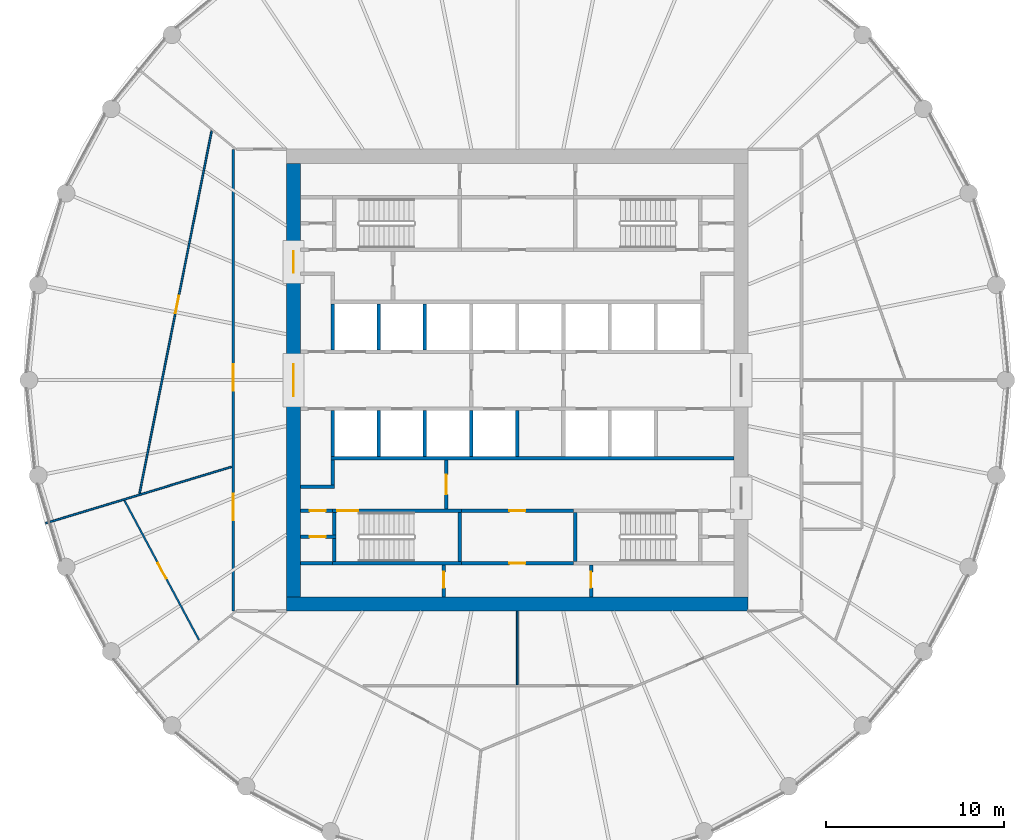
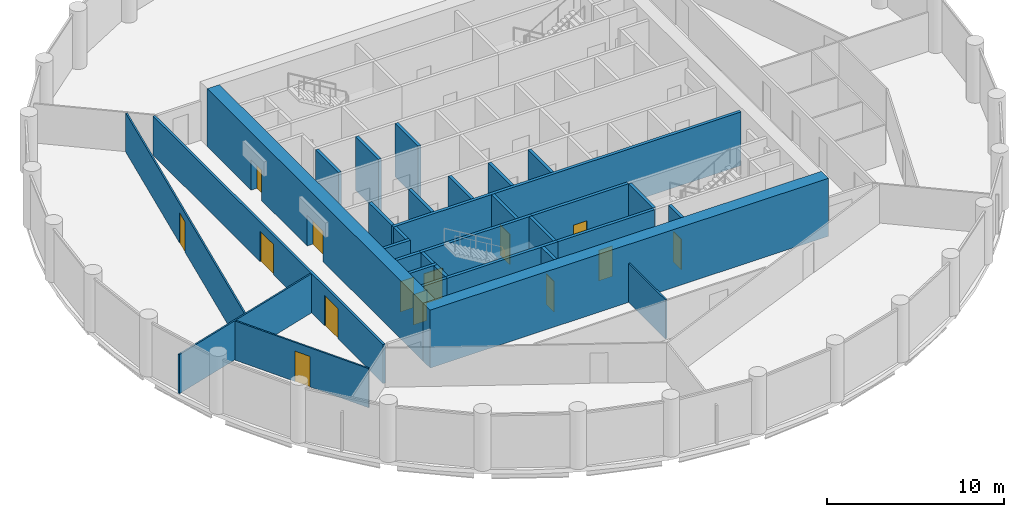
# One storey, part 4 of 8: 32 walls, 14 doors, 14 openings.
"""IFC4 building model written with IfcOpenShell, lengths in metres."""

from ifc_helpers import new_model, si_unit, direction, frame, frame_2d, origin, place, context, subcontext, project, spatial, polyline, rectangle, outline, extrude, material, layer, layer_set, type_object, element, fill, save


model = new_model("IFC4")

# Units and contexts
model_context = context("Model", 3, precision=1e-05, world=origin(), true_north=direction((0.0, 1.0)))
body_context = subcontext(model_context, "Body", "Model", "MODEL_VIEW")
ifc_project = project(units=[si_unit("LENGTHUNIT", "METRE"), si_unit("AREAUNIT", "SQUARE_METRE"), si_unit("VOLUMEUNIT", "CUBIC_METRE"), si_unit("PLANEANGLEUNIT", "RADIAN"), si_unit("MASSUNIT", "GRAM", prefix="KILO")], contexts=[model_context])

# Site, building, storey
site_placement = place(None, origin())
site = spatial("IfcSite", under=ifc_project, at=site_placement, CompositionType="ELEMENT")
building_placement = place(site_placement, origin())
building = spatial("IfcBuilding", under=site, at=building_placement, Name="Corvane Civic Tower", CompositionType="ELEMENT")
storey_placement = place(building_placement, frame((0.0, 0.0, 205.5)))
storey = spatial("IfcBuildingStorey", under=building, at=storey_placement, Name="L48", CompositionType="ELEMENT", Elevation=205.5)

# Wall
ifc_material_1 = material(Name="Concrete C50/60", Category="concrete")
ifc_layer_1 = layer(ifc_material_1, 0.800048828125)
ifc_layer_set_1 = layer_set([ifc_layer_1], Name="Concrete C50/60")
wall_type_1 = type_object("IfcWallType", Name="CORE WALL 800 C50/60", PredefinedType="SHEAR", material=ifc_layer_set_1)
wall_1_placement = place(storey_placement, frame((-13.0, -12.60009765625, 0.0), z_axis=(0.0, 0.0, 1.0), x_axis=(1.0, 0.0, 0.0)))
element("IfcWall", 1, at=wall_1_placement, inside=storey, type_object=wall_type_1, Name="W-L48-core-S", PredefinedType="SHEAR", context=body_context, shape_type="SweptSolid", body=[
    extrude(rectangle(XDim=26.0, YDim=0.800048828125, at=frame_2d((13.0, 0.0))), origin(), (0.0, 0.0, 1.0), 4.0),
])

# Wall, openings, doors
wall_2_placement = place(storey_placement, frame((-12.60009765625, -12.199951171875, 0.0), z_axis=(0.0, 0.0, 1.0), x_axis=(0.0, 1.0, 0.0)))
wall_2 = element("IfcWall", 2, at=wall_2_placement, inside=storey, type_object=wall_type_1, Name="W-L48-core-W", PredefinedType="SHEAR", context=body_context, shape_type="SweptSolid", body=[
    extrude(rectangle(XDim=24.39990234375, YDim=0.800048828125, at=frame_2d((12.199951171875, 0.0))), origin(), (0.0, 0.0, 1.0), 4.0),
])
opening_1_placement = place(wall_2_placement, frame((11.300048828125, 0.0, 0.0)))
opening_1 = element("IfcOpeningElement", 3, at=opening_1_placement, cuts=wall_2, Name="Opening L48.C30", PredefinedType="OPENING", context=body_context, shape_type="SweptSolid", body=[
    extrude(rectangle(XDim=1.800048828125, YDim=2.10009765625, at=frame_2d((0.89990234375, 1.050048828125))), frame((0.0, 0.409912109375, 0.0), z_axis=(0.0, -1.0, 0.0), x_axis=(1.0, 0.0, 0.0)), (0.0, 0.0, 1.0), 0.820068359375),
])
opening_2_placement = place(wall_2_placement, frame((18.25, 0.0, 0.0)))
opening_2 = element("IfcOpeningElement", 4, at=opening_2_placement, cuts=wall_2, Name="Opening L48.C32", PredefinedType="OPENING", context=body_context, shape_type="SweptSolid", body=[
    extrude(rectangle(XDim=1.199951171875, YDim=2.10009765625, at=frame_2d((0.60009765625, 1.050048828125))), frame((0.0, 0.409912109375, 0.0), z_axis=(0.0, -1.0, 0.0), x_axis=(1.0, 0.0, 0.0)), (0.0, 0.0, 1.0), 0.820068359375),
])
ifc_material_2 = material(Name="Steel fire door leaf", Category="steel")
door_type_1 = type_object("IfcDoorType", Name="CR-DOOR-CORE-1800", OperationType="DOUBLE_DOOR_SINGLE_SWING", PredefinedType="DOOR", material=ifc_material_2)
door_1_placement = place(opening_1_placement, origin())
door_1 = element("IfcDoor", 5, at=door_1_placement, inside=storey, type_object=door_type_1, Name="L48 door", OperationType="DOUBLE_DOOR_SINGLE_SWING", OverallHeight=2.10009765625, OverallWidth=1.800048828125, PredefinedType="DOOR", context=body_context, shape_type="SweptSolid", body=[
    extrude(rectangle(XDim=1.800048828125, YDim=2.10009765625, at=frame_2d((0.89990234375, 1.050048828125))), frame((0.0, 0.02490234375, 0.0), z_axis=(0.0, -1.0, 0.0), x_axis=(1.0, 0.0, 0.0)), (0.0, 0.0, 1.0), 0.050048828125),
])
fill(opening_1, door_1)
door_2_placement = place(opening_2_placement, origin())
door_2 = element("IfcDoor", 6, at=door_2_placement, inside=storey, type_object=door_type_1, Name="L48 door", OperationType="DOUBLE_DOOR_SINGLE_SWING", OverallHeight=2.10009765625, OverallWidth=1.199951171875, PredefinedType="DOOR", context=body_context, shape_type="SweptSolid", body=[
    extrude(rectangle(XDim=1.199951171875, YDim=2.10009765625, at=frame_2d((0.60009765625, 1.050048828125))), frame((0.0, 0.02490234375, 0.0), z_axis=(0.0, -1.0, 0.0), x_axis=(1.0, 0.0, 0.0)), (0.0, 0.0, 1.0), 0.050048828125),
])
fill(opening_2, door_2)

# Wall, opening, door
ifc_material_3 = material(Name="Concrete C30/37", Category="concrete")
ifc_layer_2 = layer(ifc_material_3, 0.199951171875)
ifc_layer_set_2 = layer_set([ifc_layer_2], Name="Concrete C30/37")
wall_type_2 = type_object("IfcWallType", Name="CR-WALL-200", PredefinedType="PARTITIONING", material=ifc_layer_set_2)
wall_3_placement = place(storey_placement, frame((-3.14990234375, -10.300048828125, 0.0), z_axis=(0.0, 0.0, 1.0), x_axis=(1.0, 0.0, 0.0)))
wall_3 = element("IfcWall", 7, at=wall_3_placement, inside=storey, type_object=wall_type_2, Name="L48 partition wall", PredefinedType="PARTITIONING", context=body_context, shape_type="SweptSolid", body=[
    extrude(rectangle(XDim=6.2998046875, YDim=0.199951171875, at=frame_2d((3.14990234375, 0.0))), origin(), (0.0, 0.0, 1.0), 3.699951171875),
])
opening_3_placement = place(wall_3_placement, frame((2.699951171875, 0.0, 0.0)))
opening_3 = element("IfcOpeningElement", 8, at=opening_3_placement, cuts=wall_3, Name="Opening L48.C12", PredefinedType="OPENING", context=body_context, shape_type="SweptSolid", body=[
    extrude(rectangle(XDim=0.89990234375, YDim=2.10009765625, at=frame_2d((0.449951171875, 1.050048828125))), frame((0.0, 0.10986328125, 0.0), z_axis=(0.0, -1.0, 0.0), x_axis=(1.0, 0.0, 0.0)), (0.0, 0.0, 1.0), 0.219970703125),
])
ifc_material_4 = material(Name="Steel fire door leaf", Category="steel")
door_type_2 = type_object("IfcDoorType", Name="CR-DOOR-900", OperationType="SINGLE_SWING_LEFT", PredefinedType="DOOR", material=ifc_material_4)
door_3_placement = place(opening_3_placement, origin())
door_3 = element("IfcDoor", 9, at=door_3_placement, inside=storey, type_object=door_type_2, Name="L48 door", OperationType="SINGLE_SWING_LEFT", OverallHeight=2.10009765625, OverallWidth=0.89990234375, PredefinedType="DOOR", context=body_context, shape_type="SweptSolid", body=[
    extrude(rectangle(XDim=0.89990234375, YDim=2.10009765625, at=frame_2d((0.449951171875, 1.050048828125))), frame((0.0, 0.02490234375, 0.0), z_axis=(0.0, -1.0, 0.0), x_axis=(1.0, 0.0, 0.0)), (0.0, 0.0, 1.0), 0.050048828125),
])
fill(opening_3, door_3)

wall_4_placement = place(storey_placement, frame((-12.199951171875, -8.824951171875, 0.0), z_axis=(0.0, 0.0, 1.0), x_axis=(1.0, 0.0, 0.0)))
wall_4 = element("IfcWall", 10, at=wall_4_placement, inside=storey, type_object=wall_type_2, Name="L48 partition wall", PredefinedType="PARTITIONING", context=body_context, shape_type="SweptSolid", body=[
    extrude(rectangle(XDim=2.0, YDim=0.199951171875, at=frame_2d((1.0, 0.0))), origin(), (0.0, 0.0, 1.0), 3.699951171875),
])
opening_4_placement = place(wall_4_placement, frame((0.5, 0.0, 0.0)))
opening_4 = element("IfcOpeningElement", 11, at=opening_4_placement, cuts=wall_4, Name="Opening L48.C17", PredefinedType="OPENING", context=body_context, shape_type="SweptSolid", body=[
    extrude(rectangle(XDim=0.89990234375, YDim=2.10009765625, at=frame_2d((0.449951171875, 1.050048828125))), frame((0.0, 0.10986328125, 0.0), z_axis=(0.0, -1.0, 0.0), x_axis=(1.0, 0.0, 0.0)), (0.0, 0.0, 1.0), 0.219970703125),
])
door_4_placement = place(opening_4_placement, origin())
door_4 = element("IfcDoor", 12, at=door_4_placement, inside=storey, type_object=door_type_2, Name="L48 door", OperationType="SINGLE_SWING_LEFT", OverallHeight=2.10009765625, OverallWidth=0.89990234375, PredefinedType="DOOR", context=body_context, shape_type="SweptSolid", body=[
    extrude(rectangle(XDim=0.89990234375, YDim=2.10009765625, at=frame_2d((0.449951171875, 1.050048828125))), frame((0.0, 0.02490234375, 0.0), z_axis=(0.0, -1.0, 0.0), x_axis=(1.0, 0.0, 0.0)), (0.0, 0.0, 1.0), 0.050048828125),
])
fill(opening_4, door_4)

wall_5_placement = place(storey_placement, frame((-12.199951171875, -7.35009765625, 0.0), z_axis=(0.0, 0.0, 1.0), x_axis=(1.0, 0.0, 0.0)))
wall_5 = element("IfcWall", 13, at=wall_5_placement, inside=storey, type_object=wall_type_2, Name="L48 core partition wall", PredefinedType="PARTITIONING", context=body_context, shape_type="SweptSolid", body=[
    extrude(rectangle(XDim=1.800048828125, YDim=0.199951171875, at=frame_2d((0.89990234375, 0.0))), origin(), (0.0, 0.0, 1.0), 3.699951171875),
])
opening_5_placement = place(wall_5_placement, frame((0.5, 0.0, 0.0)))
opening_5 = element("IfcOpeningElement", 14, at=opening_5_placement, cuts=wall_5, Name="Opening L48.C16", PredefinedType="OPENING", context=body_context, shape_type="SweptSolid", body=[
    extrude(rectangle(XDim=0.89990234375, YDim=2.10009765625, at=frame_2d((0.449951171875, 1.050048828125))), frame((0.0, 0.10986328125, 0.0), z_axis=(0.0, -1.0, 0.0), x_axis=(1.0, 0.0, 0.0)), (0.0, 0.0, 1.0), 0.219970703125),
])
door_5_placement = place(opening_5_placement, origin())
door_5 = element("IfcDoor", 15, at=door_5_placement, inside=storey, type_object=door_type_2, Name="L48 door", OperationType="SINGLE_SWING_LEFT", OverallHeight=2.10009765625, OverallWidth=0.89990234375, PredefinedType="DOOR", context=body_context, shape_type="SweptSolid", body=[
    extrude(rectangle(XDim=0.89990234375, YDim=2.10009765625, at=frame_2d((0.449951171875, 1.050048828125))), frame((0.0, 0.02490234375, 0.0), z_axis=(0.0, -1.0, 0.0), x_axis=(1.0, 0.0, 0.0)), (0.0, 0.0, 1.0), 0.050048828125),
])
fill(opening_5, door_5)

wall_6_placement = place(storey_placement, frame((-3.14990234375, -7.35009765625, 0.0), z_axis=(0.0, 0.0, 1.0), x_axis=(1.0, 0.0, 0.0)))
wall_6 = element("IfcWall", 16, at=wall_6_placement, inside=storey, type_object=wall_type_2, Name="L48 core partition wall", PredefinedType="PARTITIONING", context=body_context, shape_type="SweptSolid", body=[
    extrude(rectangle(XDim=6.2998046875, YDim=0.199951171875, at=frame_2d((3.14990234375, 0.0))), origin(), (0.0, 0.0, 1.0), 3.699951171875),
])
opening_6_placement = place(wall_6_placement, frame((2.699951171875, 0.0, 0.0)))
opening_6 = element("IfcOpeningElement", 17, at=opening_6_placement, cuts=wall_6, Name="Opening L48.C07", PredefinedType="OPENING", context=body_context, shape_type="SweptSolid", body=[
    extrude(rectangle(XDim=0.89990234375, YDim=2.10009765625, at=frame_2d((0.449951171875, 1.050048828125))), frame((0.0, 0.10986328125, 0.0), z_axis=(0.0, -1.0, 0.0), x_axis=(1.0, 0.0, 0.0)), (0.0, 0.0, 1.0), 0.219970703125),
])
door_6_placement = place(opening_6_placement, origin())
door_6 = element("IfcDoor", 18, at=door_6_placement, inside=storey, type_object=door_type_2, Name="L48 door", OperationType="SINGLE_SWING_LEFT", OverallHeight=2.10009765625, OverallWidth=0.89990234375, PredefinedType="DOOR", context=body_context, shape_type="SweptSolid", body=[
    extrude(rectangle(XDim=0.89990234375, YDim=2.10009765625, at=frame_2d((0.449951171875, 1.050048828125))), frame((0.0, 0.02490234375, 0.0), z_axis=(0.0, -1.0, 0.0), x_axis=(1.0, 0.0, 0.0)), (0.0, 0.0, 1.0), 0.050048828125),
])
fill(opening_6, door_6)

wall_7_placement = place(storey_placement, frame((-4.14990234375, -12.199951171875, 0.0), z_axis=(0.0, 0.0, 1.0), x_axis=(0.0, 1.0, 0.0)))
wall_7 = element("IfcWall", 19, at=wall_7_placement, inside=storey, type_object=wall_type_2, Name="L48 partition wall", PredefinedType="PARTITIONING", context=body_context, shape_type="SweptSolid", body=[
    extrude(rectangle(XDim=1.800048828125, YDim=0.199951171875, at=frame_2d((0.89990234375, 0.0))), origin(), (0.0, 0.0, 1.0), 3.699951171875),
])
opening_7_placement = place(wall_7_placement, frame((0.5, 0.0, 0.0)))
opening_7 = element("IfcOpeningElement", 20, at=opening_7_placement, cuts=wall_7, Name="Opening L48.C11", PredefinedType="OPENING", context=body_context, shape_type="SweptSolid", body=[
    extrude(rectangle(XDim=0.89990234375, YDim=2.10009765625, at=frame_2d((0.449951171875, 1.050048828125))), frame((0.0, 0.10986328125, 0.0), z_axis=(0.0, -1.0, 0.0), x_axis=(1.0, 0.0, 0.0)), (0.0, 0.0, 1.0), 0.219970703125),
])
door_7_placement = place(opening_7_placement, origin())
door_7 = element("IfcDoor", 21, at=door_7_placement, inside=storey, type_object=door_type_2, Name="L48 door", OperationType="SINGLE_SWING_LEFT", OverallHeight=2.10009765625, OverallWidth=0.89990234375, PredefinedType="DOOR", context=body_context, shape_type="SweptSolid", body=[
    extrude(rectangle(XDim=0.89990234375, YDim=2.10009765625, at=frame_2d((0.449951171875, 1.050048828125))), frame((0.0, 0.02490234375, 0.0), z_axis=(0.0, -1.0, 0.0), x_axis=(1.0, 0.0, 0.0)), (0.0, 0.0, 1.0), 0.050048828125),
])
fill(opening_7, door_7)

wall_8_placement = place(storey_placement, frame((-4.0, -7.25, 0.0), z_axis=(0.0, 0.0, 1.0), x_axis=(0.0, 1.0, 0.0)))
wall_8 = element("IfcWall", 22, at=wall_8_placement, inside=storey, type_object=wall_type_2, Name="L48 core partition wall", PredefinedType="PARTITIONING", context=body_context, shape_type="SweptSolid", body=[
    extrude(rectangle(XDim=2.75, YDim=0.199951171875, at=frame_2d((1.375, 0.0))), origin(), (0.0, 0.0, 1.0), 3.699951171875),
])
opening_8_placement = place(wall_8_placement, frame((0.824951171875, 0.0, 0.0)))
opening_8 = element("IfcOpeningElement", 23, at=opening_8_placement, cuts=wall_8, Name="Opening L48.C29", PredefinedType="OPENING", context=body_context, shape_type="SweptSolid", body=[
    extrude(rectangle(XDim=1.10009765625, YDim=2.10009765625, at=frame_2d((0.550048828125, 1.050048828125))), frame((0.0, 0.10986328125, 0.0), z_axis=(0.0, -1.0, 0.0), x_axis=(1.0, 0.0, 0.0)), (0.0, 0.0, 1.0), 0.219970703125),
])
ifc_material_5 = material(Name="Steel fire door leaf", Category="steel")
door_type_3 = type_object("IfcDoorType", Name="CR-DOOR-FFL-1100", OperationType="SINGLE_SWING_LEFT", PredefinedType="DOOR", material=ifc_material_5)
door_8_placement = place(opening_8_placement, origin())
door_8 = element("IfcDoor", 24, at=door_8_placement, inside=storey, type_object=door_type_3, Name="L48 lobby door", OperationType="SINGLE_SWING_LEFT", OverallHeight=2.10009765625, OverallWidth=1.10009765625, PredefinedType="DOOR", context=body_context, shape_type="SweptSolid", body=[
    extrude(rectangle(XDim=1.10009765625, YDim=2.10009765625, at=frame_2d((0.550048828125, 1.050048828125))), frame((0.0, 0.02490234375, 0.0), z_axis=(0.0, -1.0, 0.0), x_axis=(1.0, 0.0, 0.0)), (0.0, 0.0, 1.0), 0.050048828125),
])
fill(opening_8, door_8)

wall_9_placement = place(storey_placement, frame((4.14990234375, -12.199951171875, 0.0), z_axis=(0.0, 0.0, 1.0), x_axis=(0.0, 1.0, 0.0)))
wall_9 = element("IfcWall", 25, at=wall_9_placement, inside=storey, type_object=wall_type_2, Name="L48 partition wall", PredefinedType="PARTITIONING", context=body_context, shape_type="SweptSolid", body=[
    extrude(rectangle(XDim=1.800048828125, YDim=0.199951171875, at=frame_2d((0.89990234375, 0.0))), origin(), (0.0, 0.0, 1.0), 3.699951171875),
])
opening_9_placement = place(wall_9_placement, frame((0.5, 0.0, 0.0)))
opening_9 = element("IfcOpeningElement", 26, at=opening_9_placement, cuts=wall_9, Name="Opening L48.C13", PredefinedType="OPENING", context=body_context, shape_type="SweptSolid", body=[
    extrude(rectangle(XDim=0.89990234375, YDim=2.10009765625, at=frame_2d((0.449951171875, 1.050048828125))), frame((0.0, 0.10986328125, 0.0), z_axis=(0.0, -1.0, 0.0), x_axis=(1.0, 0.0, 0.0)), (0.0, 0.0, 1.0), 0.219970703125),
])
door_9_placement = place(opening_9_placement, origin())
door_9 = element("IfcDoor", 27, at=door_9_placement, inside=storey, type_object=door_type_2, Name="L48 door", OperationType="SINGLE_SWING_LEFT", OverallHeight=2.10009765625, OverallWidth=0.89990234375, PredefinedType="DOOR", context=body_context, shape_type="SweptSolid", body=[
    extrude(rectangle(XDim=0.89990234375, YDim=2.10009765625, at=frame_2d((0.449951171875, 1.050048828125))), frame((0.0, 0.02490234375, 0.0), z_axis=(0.0, -1.0, 0.0), x_axis=(1.0, 0.0, 0.0)), (0.0, 0.0, 1.0), 0.050048828125),
])
fill(opening_9, door_9)

# Walls
wall_10_placement = place(storey_placement, origin())
element("IfcWall", 28, at=wall_10_placement, inside=storey, type_object=wall_type_2, Name="L48 core partition wall", PredefinedType="PARTITIONING", context=body_context, shape_type="SweptSolid", body=[
    extrude(outline(polyline([(12.199951171875, -4.300048828125), (12.199951171875, -4.5), (-10.5, -4.5), (-10.5, -4.300048828125), (12.199951171875, -4.300048828125)])), origin(), (0.0, 0.0, 1.0), 3.699951171875),
])
wall_11_placement = place(storey_placement, origin())
element("IfcWall", 29, at=wall_11_placement, inside=storey, type_object=wall_type_2, Name="L48 core partition wall", PredefinedType="PARTITIONING", context=body_context, shape_type="SweptSolid", body=[
    extrude(outline(polyline([(-2.5, -1.699951171875), (-2.5, -4.2998046875), (-2.699951171875, -4.2998046875), (-2.699951171875, -1.699951171875), (-2.5, -1.699951171875)])), origin(), (0.0, 0.0, 1.0), 3.699951171875),
])
wall_12_placement = place(storey_placement, origin())
element("IfcWall", 30, at=wall_12_placement, inside=storey, type_object=wall_type_2, Name="L48 core partition wall", PredefinedType="PARTITIONING", context=body_context, shape_type="SweptSolid", body=[
    extrude(outline(polyline([(0.10009765625, -1.699951171875), (0.10009765625, -4.2998046875), (-0.10009765625, -4.2998046875), (-0.10009765625, -1.699951171875), (0.10009765625, -1.699951171875)])), origin(), (0.0, 0.0, 1.0), 3.699951171875),
])
wall_13_placement = place(storey_placement, origin())
element("IfcWall", 31, at=wall_13_placement, inside=storey, type_object=wall_type_2, Name="L48 core partition wall", PredefinedType="PARTITIONING", context=body_context, shape_type="SweptSolid", body=[
    extrude(outline(polyline([(-10.300048828125, -1.699951171875), (-10.300048828125, -4.2998046875), (-10.5, -4.2998046875), (-10.5, -1.699951171875), (-10.300048828125, -1.699951171875)])), origin(), (0.0, 0.0, 1.0), 3.699951171875),
])
wall_14_placement = place(storey_placement, origin())
element("IfcWall", 32, at=wall_14_placement, inside=storey, type_object=wall_type_2, Name="L48 core partition wall", PredefinedType="PARTITIONING", context=body_context, shape_type="SweptSolid", body=[
    extrude(outline(polyline([(-7.699951171875, -1.699951171875), (-7.699951171875, -4.2998046875), (-7.89990234375, -4.2998046875), (-7.89990234375, -1.699951171875), (-7.699951171875, -1.699951171875)])), origin(), (0.0, 0.0, 1.0), 3.699951171875),
])
wall_15_placement = place(storey_placement, origin())
element("IfcWall", 33, at=wall_15_placement, inside=storey, type_object=wall_type_2, Name="L48 core partition wall", PredefinedType="PARTITIONING", context=body_context, shape_type="SweptSolid", body=[
    extrude(outline(polyline([(-5.10009765625, -1.699951171875), (-5.10009765625, -4.2998046875), (-5.300048828125, -4.2998046875), (-5.300048828125, -1.699951171875), (-5.10009765625, -1.699951171875)])), origin(), (0.0, 0.0, 1.0), 3.699951171875),
])
wall_16_placement = place(storey_placement, origin())
element("IfcWall", 34, at=wall_16_placement, inside=storey, type_object=wall_type_2, Name="L48 core partition wall", PredefinedType="PARTITIONING", context=body_context, shape_type="SweptSolid", body=[
    extrude(outline(polyline([(-10.300048828125, -6.10009765625), (-12.199951171875, -6.10009765625), (-12.199951171875, -5.89990234375), (-10.300048828125, -5.89990234375), (-10.300048828125, -6.10009765625)])), origin(), (0.0, 0.0, 1.0), 3.699951171875),
])
wall_17_placement = place(storey_placement, origin())
element("IfcWall", 35, at=wall_17_placement, inside=storey, type_object=wall_type_2, Name="L48 core partition wall", PredefinedType="PARTITIONING", context=body_context, shape_type="SweptSolid", body=[
    extrude(outline(polyline([(-10.300048828125, -5.89990234375), (-10.5, -5.89990234375), (-10.5, -4.5), (-10.300048828125, -4.5), (-10.300048828125, -5.89990234375)])), origin(), (0.0, 0.0, 1.0), 3.699951171875),
])
wall_18_placement = place(storey_placement, origin())
element("IfcWall", 36, at=wall_18_placement, inside=storey, type_object=wall_type_2, Name="L48 core partition wall", PredefinedType="PARTITIONING", context=body_context, shape_type="SweptSolid", body=[
    extrude(outline(polyline([(-10.300048828125, 1.699951171875), (-10.5, 1.699951171875), (-10.5, 4.2998046875), (-10.300048828125, 4.2998046875), (-10.300048828125, 1.699951171875)])), origin(), (0.0, 0.0, 1.0), 3.699951171875),
])
wall_19_placement = place(storey_placement, origin())
element("IfcWall", 37, at=wall_19_placement, inside=storey, type_object=wall_type_2, Name="L48 core partition wall", PredefinedType="PARTITIONING", context=body_context, shape_type="SweptSolid", body=[
    extrude(outline(polyline([(-7.699951171875, 1.699951171875), (-7.89990234375, 1.699951171875), (-7.89990234375, 4.2998046875), (-7.699951171875, 4.2998046875), (-7.699951171875, 1.699951171875)])), origin(), (0.0, 0.0, 1.0), 3.699951171875),
])
wall_20_placement = place(storey_placement, origin())
element("IfcWall", 38, at=wall_20_placement, inside=storey, type_object=wall_type_2, Name="L48 core partition wall", PredefinedType="PARTITIONING", context=body_context, shape_type="SweptSolid", body=[
    extrude(outline(polyline([(-5.10009765625, 1.699951171875), (-5.300048828125, 1.699951171875), (-5.300048828125, 4.2998046875), (-5.10009765625, 4.2998046875), (-5.10009765625, 1.699951171875)])), origin(), (0.0, 0.0, 1.0), 3.699951171875),
])
wall_21_placement = place(storey_placement, origin())
element("IfcWall", 39, at=wall_21_placement, inside=storey, type_object=wall_type_2, Name="L48 core partition wall", PredefinedType="PARTITIONING", context=body_context, shape_type="SweptSolid", body=[
    extrude(outline(polyline([(-10.39990234375, -10.39990234375), (-12.199951171875, -10.39990234375), (-12.199951171875, -10.199951171875), (-10.39990234375, -10.199951171875), (-10.39990234375, -10.39990234375)])), origin(), (0.0, 0.0, 1.0), 3.699951171875),
])
ifc_material_6 = material(Name="Plasterboard")
ifc_layer_3 = layer(ifc_material_6, 0.10009765625)
ifc_layer_set_3 = layer_set([ifc_layer_3], Name="Plasterboard")
wall_type_3 = type_object("IfcWallType", Name="Partition 100 plasterboard on studs", PredefinedType="PARTITIONING", material=ifc_layer_set_3)
wall_22_placement = place(storey_placement, frame((0.0, -17.14990234375, 0.0), z_axis=(0.0, 0.0, 1.0), x_axis=(0.0, 1.0, 0.0)))
element("IfcWall", 40, at=wall_22_placement, inside=storey, type_object=wall_type_3, Name="Partition L48.007", PredefinedType="PARTITIONING", context=body_context, shape_type="SweptSolid", body=[
    extrude(rectangle(XDim=4.14990234375, YDim=0.10009765625, at=frame_2d((2.074951171875, 0.0))), origin(), (0.0, 0.0, 1.0), 2.699951171875),
])

# Wall, opening, door
wall_23_placement = place(storey_placement, frame((-22.119384765625, -6.772216796875, 0.0), z_axis=(0.0, 0.0, 1.0), x_axis=(0.471383151243, -0.881928525859, 0.0)))
wall_23 = element("IfcWall", 41, at=wall_23_placement, inside=storey, type_object=wall_type_3, Name="Partition L48.008", PredefinedType="PARTITIONING", context=body_context, shape_type="SweptSolid", body=[
    extrude(rectangle(XDim=8.90869140625, YDim=0.10009765625, at=frame_2d((4.454345703125, 0.0))), origin(), (0.0, 0.0, 1.0), 2.699951171875),
])
opening_10_placement = place(wall_23_placement, frame((3.990966796875, 0.0, 0.0)))
opening_10 = element("IfcOpeningElement", 42, at=opening_10_placement, cuts=wall_23, Name="Opening L48.014", PredefinedType="OPENING", context=body_context, shape_type="SweptSolid", body=[
    extrude(rectangle(XDim=1.0, YDim=2.10009765625, at=frame_2d((0.5, 1.050048828125))), frame((0.0, 0.06005859375, 0.0), z_axis=(0.0, -1.0, 0.0), x_axis=(1.0, 0.0, 0.0)), (0.0, 0.0, 1.0), 0.1201171875),
])
ifc_material_7 = material(Name="Timber", Category="wood")
door_type_4 = type_object("IfcDoorType", Name="Single door 1000", OperationType="NOTDEFINED", PredefinedType="DOOR", material=ifc_material_7)
door_10_placement = place(opening_10_placement, frame((1.0, 0.0, 0.0), z_axis=(0.0, 0.0, 1.0), x_axis=(-1.0, 0.0, 0.0)))
door_10 = element("IfcDoor", 43, at=door_10_placement, inside=storey, type_object=door_type_4, Name="Door L48.014", OperationType="SINGLE_SWING_LEFT", OverallHeight=2.10009765625, OverallWidth=1.0, PredefinedType="DOOR", context=body_context, shape_type="SweptSolid", body=[
    extrude(rectangle(XDim=1.0, YDim=2.10009765625, at=frame_2d((0.5, 1.050048828125))), frame((0.0, 0.02490234375, 0.0), z_axis=(0.0, -1.0, 0.0), x_axis=(1.0, 0.0, 0.0)), (0.0, 0.0, 1.0), 0.050048828125),
])
fill(opening_10, door_10)

# Wall
wall_24_placement = place(storey_placement, frame((-26.555419921875, -8.055419921875, 0.0), z_axis=(0.0, 0.0, 1.0), x_axis=(0.956939502521, 0.290287423971, 0.0)))
element("IfcWall", 44, at=wall_24_placement, inside=storey, type_object=wall_type_3, Name="Partition L48.016", PredefinedType="PARTITIONING", context=body_context, shape_type="SweptSolid", body=[
    extrude(rectangle(XDim=10.936767578125, YDim=0.10009765625, at=frame_2d((5.46826171875, 0.0))), origin(), (0.0, 0.0, 1.0), 2.699951171875),
])

# Wall, opening, door
wall_25_placement = place(storey_placement, frame((-21.26953125, -6.375244140625, 0.0), z_axis=(0.0, 0.0, 1.0), x_axis=(0.195095978337, 0.980784155274, 0.0)))
wall_25 = element("IfcWall", 45, at=wall_25_placement, inside=storey, type_object=wall_type_3, Name="Partition L48.017", PredefinedType="PARTITIONING", context=body_context, shape_type="SweptSolid", body=[
    extrude(rectangle(XDim=20.80419921875, YDim=0.10009765625, at=frame_2d((10.402099609375, 0.0))), origin(), (0.0, 0.0, 1.0), 2.699951171875),
])
opening_11_placement = place(wall_25_placement, frame((10.34765625, 0.0, 0.0)))
opening_11 = element("IfcOpeningElement", 46, at=opening_11_placement, cuts=wall_25, Name="Opening L48.016", PredefinedType="OPENING", context=body_context, shape_type="SweptSolid", body=[
    extrude(rectangle(XDim=1.0, YDim=2.10009765625, at=frame_2d((0.5, 1.050048828125))), frame((0.0, 0.06005859375, 0.0), z_axis=(0.0, -1.0, 0.0), x_axis=(1.0, 0.0, 0.0)), (0.0, 0.0, 1.0), 0.1201171875),
])
door_11_placement = place(opening_11_placement, origin())
door_11 = element("IfcDoor", 47, at=door_11_placement, inside=storey, type_object=door_type_4, Name="Door L48.016", OperationType="SINGLE_SWING_RIGHT", OverallHeight=2.10009765625, OverallWidth=1.0, PredefinedType="DOOR", context=body_context, shape_type="SweptSolid", body=[
    extrude(rectangle(XDim=1.0, YDim=2.10009765625, at=frame_2d((0.5, 1.050048828125))), frame((0.0, 0.02490234375, 0.0), z_axis=(0.0, -1.0, 0.0), x_axis=(1.0, 0.0, 0.0)), (0.0, 0.0, 1.0), 0.050048828125),
])
fill(opening_11, door_11)

ifc_material_8 = material(Name="Concrete C50/60", Category="concrete")
ifc_layer_4 = layer(ifc_material_8, 0.199951171875)
ifc_layer_set_4 = layer_set([ifc_layer_4], Name="Concrete C50/60")
wall_type_4 = type_object("IfcWallType", Name="ST-WALL-200", PredefinedType="SHEAR", material=ifc_layer_set_4)
wall_26_placement = place(storey_placement, frame((-10.39990234375, -7.35009765625, 0.0), z_axis=(0.0, 0.0, 1.0), x_axis=(1.0, 0.0, 0.0)))
wall_26 = element("IfcWall", 48, at=wall_26_placement, inside=storey, type_object=wall_type_4, Name="L48 stair enclosure wall", PredefinedType="SHEAR", context=body_context, shape_type="SweptSolid", body=[
    extrude(rectangle(XDim=7.25, YDim=0.199951171875, at=frame_2d((3.625, 0.0))), origin(), (0.0, 0.0, 1.0), 3.699951171875),
])
opening_12_placement = place(wall_26_placement, frame((0.25, 0.0, 0.0)))
opening_12 = element("IfcOpeningElement", 49, at=opening_12_placement, cuts=wall_26, Name="Opening L48.C25", PredefinedType="OPENING", context=body_context, shape_type="SweptSolid", body=[
    extrude(rectangle(XDim=1.199951171875, YDim=2.10009765625, at=frame_2d((0.60009765625, 1.050048828125))), frame((0.0, 0.10986328125, 0.0), z_axis=(0.0, -1.0, 0.0), x_axis=(1.0, 0.0, 0.0)), (0.0, 0.0, 1.0), 0.219970703125),
])
ifc_material_9 = material(Name="Steel fire door leaf", Category="steel")
door_type_5 = type_object("IfcDoorType", Name="ST-DOOR-1200", OperationType="SINGLE_SWING_RIGHT", PredefinedType="DOOR", material=ifc_material_9)
door_12_placement = place(opening_12_placement, origin())
door_12 = element("IfcDoor", 50, at=door_12_placement, inside=storey, type_object=door_type_5, Name="L48 stair door", OperationType="SINGLE_SWING_RIGHT", OverallHeight=2.10009765625, OverallWidth=1.199951171875, PredefinedType="DOOR", context=body_context, shape_type="SweptSolid", body=[
    extrude(rectangle(XDim=1.199951171875, YDim=2.10009765625, at=frame_2d((0.60009765625, 1.050048828125))), frame((0.0, 0.02490234375, 0.0), z_axis=(0.0, -1.0, 0.0), x_axis=(1.0, 0.0, 0.0)), (0.0, 0.0, 1.0), 0.050048828125),
])
fill(opening_12, door_12)

# Walls
wall_27_placement = place(storey_placement, origin())
element("IfcWall", 51, at=wall_27_placement, inside=storey, type_object=wall_type_4, Name="L48 stair enclosure wall", PredefinedType="SHEAR", context=body_context, shape_type="SweptSolid", body=[
    extrude(outline(polyline([(-3.14990234375, -10.199951171875), (-3.14990234375, -10.39990234375), (-10.39990234375, -10.39990234375), (-10.39990234375, -10.199951171875), (-3.14990234375, -10.199951171875)])), origin(), (0.0, 0.0, 1.0), 3.699951171875),
])
wall_28_placement = place(storey_placement, origin())
element("IfcWall", 52, at=wall_28_placement, inside=storey, type_object=wall_type_4, Name="L48 stair enclosure wall", PredefinedType="SHEAR", context=body_context, shape_type="SweptSolid", body=[
    extrude(outline(polyline([(-3.14990234375, -7.449951171875), (-3.14990234375, -10.199951171875), (-3.35009765625, -10.199951171875), (-3.35009765625, -7.449951171875), (-3.14990234375, -7.449951171875)])), origin(), (0.0, 0.0, 1.0), 3.699951171875),
])
wall_29_placement = place(storey_placement, origin())
element("IfcWall", 53, at=wall_29_placement, inside=storey, type_object=wall_type_4, Name="L48 stair enclosure wall", PredefinedType="SHEAR", context=body_context, shape_type="SweptSolid", body=[
    extrude(outline(polyline([(3.35009765625, -7.449951171875), (3.35009765625, -10.199951171875), (3.14990234375, -10.199951171875), (3.14990234375, -7.449951171875), (3.35009765625, -7.449951171875)])), origin(), (0.0, 0.0, 1.0), 3.699951171875),
])
wall_30_placement = place(storey_placement, origin())
element("IfcWall", 54, at=wall_30_placement, inside=storey, type_object=wall_type_4, Name="L48 stair enclosure wall", PredefinedType="SHEAR", context=body_context, shape_type="SweptSolid", body=[
    extrude(outline(polyline([(-10.199951171875, -7.449951171875), (-10.199951171875, -8.72509765625), (-10.39990234375, -8.72509765625), (-10.39990234375, -7.449951171875), (-10.199951171875, -7.449951171875)])), origin(), (0.0, 0.0, 1.0), 3.699951171875),
])
wall_31_placement = place(storey_placement, origin())
element("IfcWall", 55, at=wall_31_placement, inside=storey, type_object=wall_type_4, Name="L48 stair enclosure wall", PredefinedType="SHEAR", context=body_context, shape_type="SweptSolid", body=[
    extrude(outline(polyline([(-10.199951171875, -8.925048828125), (-10.199951171875, -10.199951171875), (-10.39990234375, -10.199951171875), (-10.39990234375, -8.925048828125), (-10.199951171875, -8.925048828125)])), origin(), (0.0, 0.0, 1.0), 3.699951171875),
])

# Wall, openings, doors
ifc_material_10 = material(Name="Plasterboard")
ifc_layer_5 = layer(ifc_material_10, 0.14990234375)
ifc_layer_set_5 = layer_set([ifc_layer_5], Name="Plasterboard")
wall_type_5 = type_object("IfcWallType", Name="Tenancy wall 150 EI 60", PredefinedType="PARTITIONING", material=ifc_layer_set_5)
wall_32_placement = place(storey_placement, frame((-16.0, -13.0, 0.0), z_axis=(0.0, 0.0, 1.0), x_axis=(0.0, 1.0, 0.0)))
wall_32 = element("IfcWall", 56, at=wall_32_placement, inside=storey, type_object=wall_type_5, Name="Partition L48.010", PredefinedType="PARTITIONING", context=body_context, shape_type="SweptSolid", body=[
    extrude(rectangle(XDim=26.0, YDim=0.14990234375, at=frame_2d((13.0, 0.0))), origin(), (0.0, 0.0, 1.0), 2.699951171875),
])
opening_13_placement = place(wall_32_placement, frame((5.10888671875, 0.0, 0.0)))
opening_13 = element("IfcOpeningElement", 57, at=opening_13_placement, cuts=wall_32, Name="Opening L48.015", PredefinedType="OPENING", context=body_context, shape_type="SweptSolid", body=[
    extrude(rectangle(XDim=1.5, YDim=2.10009765625, at=frame_2d((0.75, 1.050048828125))), frame((0.0, 0.0849609375, 0.0), z_axis=(0.0, -1.0, 0.0), x_axis=(1.0, 0.0, 0.0)), (0.0, 0.0, 1.0), 0.169921875),
])
opening_14_placement = place(wall_32_placement, frame((12.408447265625, 0.0, 0.0)))
opening_14 = element("IfcOpeningElement", 58, at=opening_14_placement, cuts=wall_32, Name="Opening L48.017", PredefinedType="OPENING", context=body_context, shape_type="SweptSolid", body=[
    extrude(rectangle(XDim=1.5, YDim=2.10009765625, at=frame_2d((0.75, 1.050048828125))), frame((0.0, 0.0849609375, 0.0), z_axis=(0.0, -1.0, 0.0), x_axis=(1.0, 0.0, 0.0)), (0.0, 0.0, 1.0), 0.169921875),
])
ifc_material_11 = material(Name="Steel and timber", Category="steel")
door_type_6 = type_object("IfcDoorType", Name="Fire door FD60 double 1500", OperationType="NOTDEFINED", PredefinedType="DOOR", material=ifc_material_11)
door_13_placement = place(opening_13_placement, origin())
door_13 = element("IfcDoor", 59, at=door_13_placement, inside=storey, type_object=door_type_6, Name="Door L48.015", OperationType="DOUBLE_DOOR_SINGLE_SWING", OverallHeight=2.10009765625, OverallWidth=1.5, PredefinedType="DOOR", context=body_context, shape_type="SweptSolid", body=[
    extrude(rectangle(XDim=1.5, YDim=2.10009765625, at=frame_2d((0.75, 1.050048828125))), frame((0.0, 0.02490234375, 0.0), z_axis=(0.0, -1.0, 0.0), x_axis=(1.0, 0.0, 0.0)), (0.0, 0.0, 1.0), 0.050048828125),
])
fill(opening_13, door_13)
door_14_placement = place(opening_14_placement, origin())
door_14 = element("IfcDoor", 60, at=door_14_placement, inside=storey, type_object=door_type_6, Name="Door L48.017", OperationType="DOUBLE_DOOR_SINGLE_SWING", OverallHeight=2.10009765625, OverallWidth=1.5, PredefinedType="DOOR", context=body_context, shape_type="SweptSolid", body=[
    extrude(rectangle(XDim=1.5, YDim=2.10009765625, at=frame_2d((0.75, 1.050048828125))), frame((0.0, 0.02490234375, 0.0), z_axis=(0.0, -1.0, 0.0), x_axis=(1.0, 0.0, 0.0)), (0.0, 0.0, 1.0), 0.050048828125),
])
fill(opening_14, door_14)

save(model, "model.ifc")
